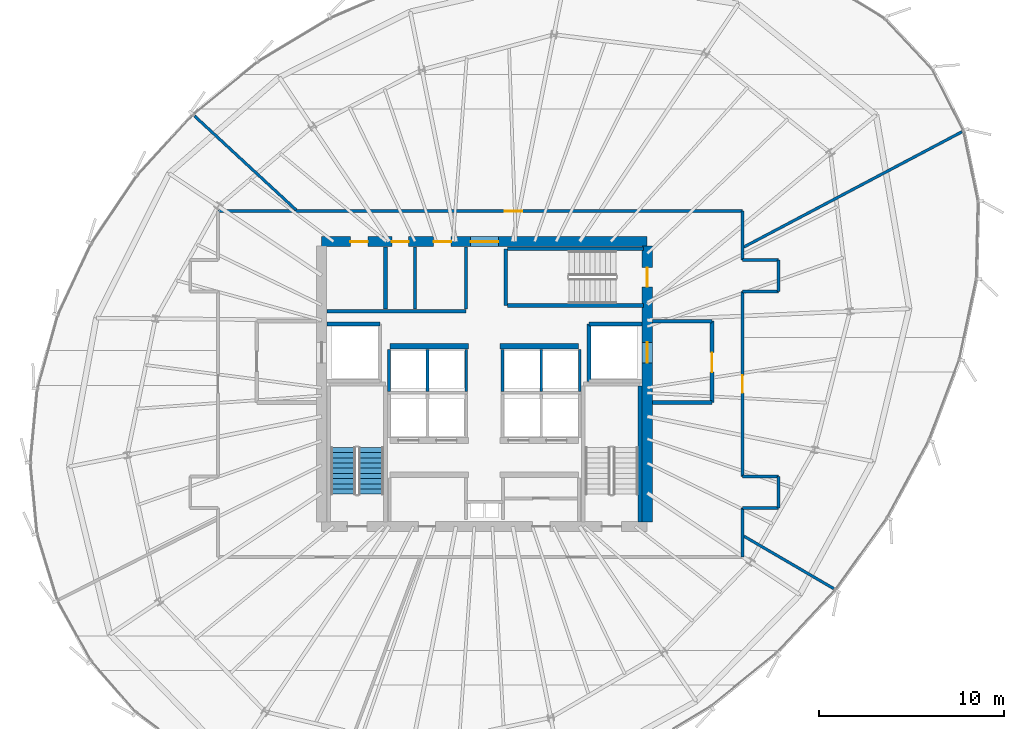
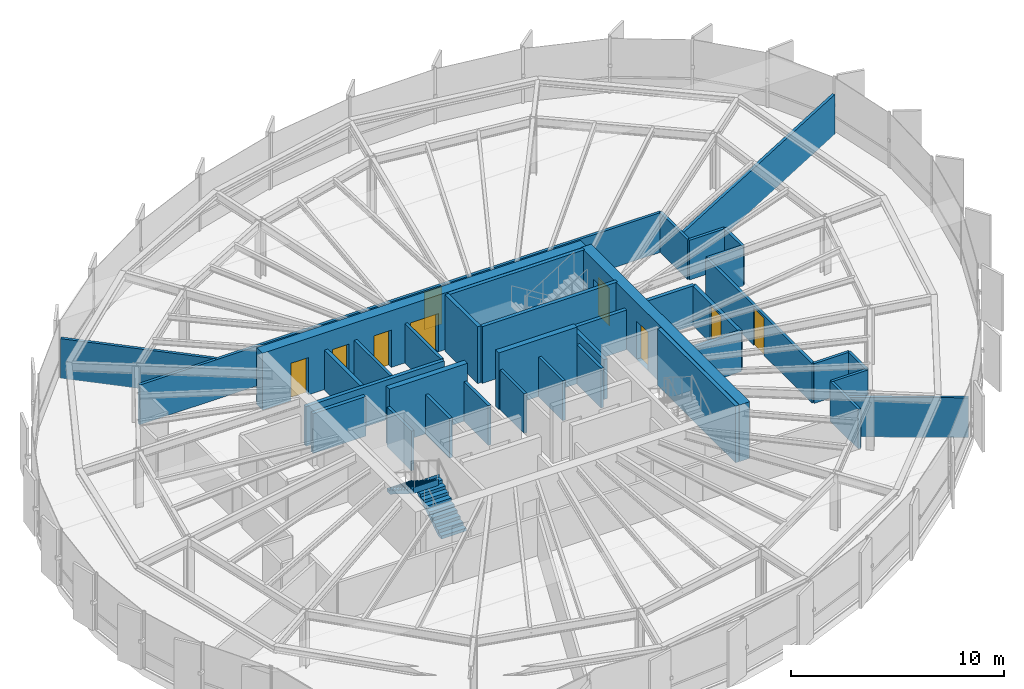
# One storey, part 31 of 36: 37 walls, 9 doors, 2 stair flights, 9 openings, 1 element without a shape of its own.
"""IFC4 building model written with IfcOpenShell, lengths in metres."""

from ifc_helpers import new_model, si_unit, direction, frame, frame_2d, origin, place, context, subcontext, project, spatial, polyline, rectangle, outline, extrude, source, transform, mapped, material, layer, layer_set, type_object, element, fill, aggregate, save


model = new_model("IFC4")

# Units and contexts
model_context = context("Model", 3, precision=1e-05, world=origin(), true_north=direction((0.0, 1.0)))
body_context = subcontext(model_context, "Body", "Model", "MODEL_VIEW")
ifc_project = project(units=[si_unit("LENGTHUNIT", "METRE"), si_unit("AREAUNIT", "SQUARE_METRE"), si_unit("VOLUMEUNIT", "CUBIC_METRE"), si_unit("PLANEANGLEUNIT", "RADIAN"), si_unit("MASSUNIT", "GRAM", prefix="KILO"), si_unit("THERMODYNAMICTEMPERATUREUNIT", "KELVIN")], contexts=[model_context])

# Site, building, storey
site_placement = place(None, origin())
site = spatial("IfcSite", under=ifc_project, at=site_placement, CompositionType="ELEMENT")
building_placement = place(site_placement, origin())
building = spatial("IfcBuilding", under=site, at=building_placement, Name="Kethvar Cultural Tower", CompositionType="ELEMENT")
storey_placement = place(building_placement, frame((0.0, 0.0, 176.39990234375)))
storey = spatial("IfcBuildingStorey", under=building, at=storey_placement, Name="L45", CompositionType="ELEMENT", Elevation=176.39990234375)

# Wall, openings, doors
ifc_material_1 = material(Name="Concrete C60/75", Category="concrete")
ifc_layer_1 = layer(ifc_material_1, 0.550048828125, Name="Concrete C60/75", Category="concrete")
ifc_layer_set_1 = layer_set([ifc_layer_1], Name="Concrete C60/75 (550 mm)")
wall_type_1 = type_object("IfcWallType", Name="WL-CORE-550", PredefinedType="SHEAR", material=ifc_layer_set_1)
wall_1_placement = place(storey_placement, frame((55.60009765625, 35.5, 0.0), z_axis=(0.0, 0.0, 1.0), x_axis=(-1.0, 0.0, 0.0)))
wall_1 = element("IfcWall", 1, at=wall_1_placement, inside=storey, type_object=wall_type_1, Name="L45 Core Shear Wall N", PredefinedType="SHEAR", context=body_context, shape_type="SweptSolid", body=[
    extrude(rectangle(XDim=17.60009765625, YDim=0.550048828125, at=frame_2d((8.800048828125, 0.0))), origin(), (0.0, 0.0, 1.0), 3.260009765625),
])
opening_1_placement = place(wall_1_placement, frame((8.050048828125, 0.0, 0.0)))
opening_1 = element("IfcOpeningElement", 2, at=opening_1_placement, cuts=wall_1, Name="Opening D-L45-LN", PredefinedType="OPENING", context=body_context, shape_type="SweptSolid", body=[
    extrude(rectangle(XDim=1.5, YDim=2.199951171875, at=frame_2d((0.75, 1.10009765625))), frame((0.0, 0.284912109375, 0.0), z_axis=(0.0, -1.0, 0.0), x_axis=(1.0, 0.0, 0.0)), (0.0, 0.0, 1.0), 0.570068359375),
])
opening_2_placement = place(wall_1_placement, frame((15.10009765625, 0.0, 0.0)))
opening_2 = element("IfcOpeningElement", 3, at=opening_2_placement, cuts=wall_1, Name="Opening D-L45-E1", PredefinedType="OPENING", context=body_context, shape_type="SweptSolid", body=[
    extrude(rectangle(XDim=0.949951171875, YDim=2.14990234375, at=frame_2d((0.47509765625, 1.074951171875))), frame((0.0, 0.284912109375, 0.0), z_axis=(0.0, -1.0, 0.0), x_axis=(1.0, 0.0, 0.0)), (0.0, 0.0, 1.0), 0.570068359375),
])
opening_3_placement = place(wall_1_placement, frame((12.89990234375, 0.0, 0.0)))
opening_3 = element("IfcOpeningElement", 4, at=opening_3_placement, cuts=wall_1, Name="Opening D-L45-W1", PredefinedType="OPENING", context=body_context, shape_type="SweptSolid", body=[
    extrude(rectangle(XDim=0.89990234375, YDim=2.14990234375, at=frame_2d((0.449951171875, 1.074951171875))), frame((0.0, 0.284912109375, 0.0), z_axis=(0.0, -1.0, 0.0), x_axis=(1.0, 0.0, 0.0)), (0.0, 0.0, 1.0), 0.570068359375),
])
opening_4_placement = place(wall_1_placement, frame((10.60009765625, 0.0, 0.0)))
opening_4 = element("IfcOpeningElement", 5, at=opening_4_placement, cuts=wall_1, Name="Opening D-L45-W2", PredefinedType="OPENING", context=body_context, shape_type="SweptSolid", body=[
    extrude(rectangle(XDim=0.949951171875, YDim=2.14990234375, at=frame_2d((0.47509765625, 1.074951171875))), frame((0.0, 0.284912109375, 0.0), z_axis=(0.0, -1.0, 0.0), x_axis=(1.0, 0.0, 0.0)), (0.0, 0.0, 1.0), 0.570068359375),
])
ifc_material_2 = material(Name="Architectural Oak Timber", Category="wood")
door_type_1 = type_object("IfcDoorType", Name="DR-DBL-FD60-1500", OperationType="DOUBLE_DOOR_SINGLE_SWING", PredefinedType="DOOR", material=ifc_material_2)
shared_shape_1 = source(origin(), body_context, "Body", "SweptSolid", [
    extrude(rectangle(XDim=1.5, YDim=2.199951171875, at=frame_2d((0.75, 1.10009765625))), frame((0.0, 0.02490234375, 0.0), z_axis=(0.0, -1.0, 0.0), x_axis=(1.0, 0.0, 0.0)), (0.0, 0.0, 1.0), 0.050048828125),
])
door_1_placement = place(opening_1_placement, origin())
door_1 = element("IfcDoor", 6, at=door_1_placement, inside=storey, type_object=door_type_1, Name="L45 Lift Lobby Concourse Door", OperationType="DOUBLE_DOOR_SINGLE_SWING", OverallHeight=2.199951171875, OverallWidth=1.5, PredefinedType="DOOR", context=body_context, shape_type="MappedRepresentation", body=[
    mapped(shared_shape_1, transform((0.0, 0.0, 0.0), scale=1.0)),
])
fill(opening_1, door_1)
door_type_2 = type_object("IfcDoorType", Name="DR-FD30-950", OperationType="NOTDEFINED", PredefinedType="DOOR", material=ifc_material_2)
shared_shape_2 = source(origin(), body_context, "Body", "SweptSolid", [
    extrude(rectangle(XDim=0.949951171875, YDim=2.14990234375, at=frame_2d((0.47509765625, 1.074951171875))), frame((0.0, 0.02490234375, 0.0), z_axis=(0.0, -1.0, 0.0), x_axis=(1.0, 0.0, 0.0)), (0.0, 0.0, 1.0), 0.050048828125),
])
door_2_placement = place(opening_2_placement, origin())
door_2 = element("IfcDoor", 7, at=door_2_placement, inside=storey, type_object=door_type_2, Name="L45 Electrical Switchgear Door", OperationType="SINGLE_SWING_RIGHT", OverallHeight=2.14990234375, OverallWidth=0.949951171875, PredefinedType="DOOR", context=body_context, shape_type="MappedRepresentation", body=[
    mapped(shared_shape_2, transform((0.0, 0.0, 0.0), scale=1.0)),
])
fill(opening_2, door_2)
door_3_placement = place(opening_4_placement, origin())
door_3 = element("IfcDoor", 8, at=door_3_placement, inside=storey, type_object=door_type_2, Name="L45 Public Washroom Door", OperationType="SINGLE_SWING_RIGHT", OverallHeight=2.14990234375, OverallWidth=0.949951171875, PredefinedType="DOOR", context=body_context, shape_type="MappedRepresentation", body=[
    mapped(shared_shape_2, transform((0.0, 0.0, 0.0), scale=1.0)),
])
fill(opening_4, door_3)
door_type_3 = type_object("IfcDoorType", Name="DR-FD30-900", OperationType="NOTDEFINED", PredefinedType="DOOR", material=ifc_material_2)
shared_shape_3 = source(origin(), body_context, "Body", "SweptSolid", [
    extrude(rectangle(XDim=0.89990234375, YDim=2.14990234375, at=frame_2d((0.449951171875, 1.074951171875))), frame((0.0, 0.02490234375, 0.0), z_axis=(0.0, -1.0, 0.0), x_axis=(1.0, 0.0, 0.0)), (0.0, 0.0, 1.0), 0.050048828125),
])
door_4_placement = place(opening_3_placement, origin())
door_4 = element("IfcDoor", 9, at=door_4_placement, inside=storey, type_object=door_type_3, Name="L45 Accessible Washroom Door", OperationType="SINGLE_SWING_LEFT", OverallHeight=2.14990234375, OverallWidth=0.89990234375, PredefinedType="DOOR", context=body_context, shape_type="MappedRepresentation", body=[
    mapped(shared_shape_3, transform((0.0, 0.0, 0.0), scale=1.0)),
])
fill(opening_3, door_4)

wall_2_placement = place(storey_placement, frame((55.60009765625, 20.340087890625, 0.0), z_axis=(0.0, 0.0, 1.0), x_axis=(0.0, 1.0, 0.0)))
wall_2 = element("IfcWall", 10, at=wall_2_placement, inside=storey, type_object=wall_type_1, Name="L45 Core Shear Wall E", PredefinedType="SHEAR", context=body_context, shape_type="SweptSolid", body=[
    extrude(rectangle(XDim=14.919921875, YDim=0.550048828125, at=frame_2d((7.4599609375, 0.0))), origin(), (0.0, 0.0, 1.0), 3.260009765625),
])
opening_5_placement = place(wall_2_placement, frame((12.7099609375, 0.0, 0.0)))
opening_5 = element("IfcOpeningElement", 11, at=opening_5_placement, cuts=wall_2, Name="Opening D-L45-S3", PredefinedType="OPENING", context=body_context, shape_type="SweptSolid", body=[
    extrude(rectangle(XDim=1.050048828125, YDim=2.14990234375, at=frame_2d((0.52490234375, 1.074951171875))), frame((0.0, 0.284912109375, 0.0), z_axis=(0.0, -1.0, 0.0), x_axis=(1.0, 0.0, 0.0)), (0.0, 0.0, 1.0), 0.570068359375),
])
opening_6_placement = place(wall_2_placement, frame((8.610107421875, 0.0, 0.0)))
opening_6 = element("IfcOpeningElement", 12, at=opening_6_placement, cuts=wall_2, Name="Opening LD-2", PredefinedType="OPENING", context=body_context, shape_type="SweptSolid", body=[
    extrude(rectangle(XDim=1.10009765625, YDim=2.199951171875, at=frame_2d((0.550048828125, 1.10009765625))), frame((0.0, 0.284912109375, 0.0), z_axis=(0.0, -1.0, 0.0), x_axis=(1.0, 0.0, 0.0)), (0.0, 0.0, 1.0), 0.570068359375),
])
ifc_material_3 = material(Name="Steel S355J2", Category="steel")
door_type_4 = type_object("IfcDoorType", Name="DR-FD60-1050", OperationType="NOTDEFINED", PredefinedType="DOOR", material=ifc_material_3)
shared_shape_4 = source(origin(), body_context, "Body", "SweptSolid", [
    extrude(rectangle(XDim=1.050048828125, YDim=2.14990234375, at=frame_2d((0.52490234375, 1.074951171875))), frame((0.0, 0.02490234375, 0.0), z_axis=(0.0, -1.0, 0.0), x_axis=(1.0, 0.0, 0.0)), (0.0, 0.0, 1.0), 0.050048828125),
])
door_5_placement = place(opening_5_placement, origin())
door_5 = element("IfcDoor", 13, at=door_5_placement, inside=storey, type_object=door_type_4, Name="L45 Exit Stair 3 Door", OperationType="SINGLE_SWING_LEFT", OverallHeight=2.14990234375, OverallWidth=1.050048828125, PredefinedType="DOOR", context=body_context, shape_type="MappedRepresentation", body=[
    mapped(shared_shape_4, transform((0.0, 0.0, 0.0), scale=1.0)),
])
fill(opening_5, door_5)
door_type_5 = type_object("IfcDoorType", Name="DR-LIFT-SLIDE-1100", OperationType="NOTDEFINED", PredefinedType="DOOR", material=ifc_material_3)
shared_shape_5 = source(origin(), body_context, "Body", "SweptSolid", [
    extrude(rectangle(XDim=1.10009765625, YDim=2.199951171875, at=frame_2d((0.550048828125, 1.10009765625))), frame((0.0, 0.02490234375, 0.0), z_axis=(0.0, -1.0, 0.0), x_axis=(1.0, 0.0, 0.0)), (0.0, 0.0, 1.0), 0.050048828125),
])
door_6_placement = place(opening_6_placement, origin())
door_6 = element("IfcDoor", 14, at=door_6_placement, inside=storey, type_object=door_type_5, Name="L45 Firefighting Lift Landing Door FFL-02", OperationType="SLIDING_TO_RIGHT", OverallHeight=2.199951171875, OverallWidth=1.10009765625, PredefinedType="DOOR", context=body_context, shape_type="MappedRepresentation", body=[
    mapped(shared_shape_5, transform((0.0, 0.0, 0.0), scale=1.0)),
])
fill(opening_6, door_6)

# Walls
ifc_material_4 = material(Name="Gypsum Fireboard Partition")
ifc_layer_2 = layer(ifc_material_4, 0.14990234375, Name="Gypsum Fireboard Partition")
ifc_layer_set_2 = layer_set([ifc_layer_2], Name="Gypsum Fireboard Partition (150 mm)")
wall_type_2 = type_object("IfcWallType", Name="WL-FIRE-150", PredefinedType="PARTITIONING", material=ifc_layer_set_2)
for number, where, z_axis, x_axis, name in (
    (15, (41.64990234375, 27.409912109375, 0.0), (0.0, 0.0, 1.0), (0.0, 1.0, 0.0), "L45 High-Rise Lift Shaft Outer Wall W"),
    (16, (43.72509765625, 27.409912109375, 0.0), (0.0, 0.0, 1.0), (0.0, 1.0, 0.0), "L45 High-Rise Lift Shaft Divider W"),
    (17, (45.824951171875, 27.409912109375, 0.0), (0.0, 0.0, 1.0), (0.0, 1.0, 0.0), "L45 High-Rise Lift Shaft Concourse Wall W"),
    (18, (47.77490234375, 27.409912109375, 0.0), (0.0, 0.0, 1.0), (0.0, 1.0, 0.0), "L45 High-Rise Lift Shaft Concourse Wall E"),
    (19, (49.875, 27.409912109375, 0.0), (0.0, 0.0, 1.0), (0.0, 1.0, 0.0), "L45 High-Rise Lift Shaft Divider E"),
    (20, (51.949951171875, 27.409912109375, 0.0), (0.0, 0.0, 1.0), (0.0, 1.0, 0.0), "L45 High-Rise Lift Shaft Outer Wall E"),
):
    element("IfcWall", number, at=place(storey_placement, frame(where, z_axis=z_axis, x_axis=x_axis)), inside=storey, type_object=wall_type_2, Name=name, PredefinedType="PARTITIONING", context=body_context, shape_type="SweptSolid", body=[
        extrude(rectangle(XDim=2.27001953125, YDim=0.14990234375, at=frame_2d((1.135009765625, 0.0))), origin(), (0.0, 0.0, 1.0), 2.280029296875),
    ])
wall_3_placement = place(storey_placement, frame((45.800048828125, 31.85009765625, 0.0), z_axis=(0.0, 0.0, 1.0), x_axis=(0.0, 1.0, 0.0)))
element("IfcWall", 21, at=wall_3_placement, inside=storey, type_object=wall_type_2, Name="L45 Sanitary Spine Wall", PredefinedType="PARTITIONING", context=body_context, shape_type="SweptSolid", body=[
    extrude(rectangle(XDim=3.364990234375, YDim=0.14990234375, at=frame_2d((1.6826171875, 0.0))), origin(), (0.0, 0.0, 1.0), 2.280029296875),
])
wall_4_placement = place(storey_placement, frame((60.75, 18.449951171875, 0.0), z_axis=(0.0, 0.0, 1.0), x_axis=(0.0, 1.0, 0.0)))
element("IfcWall", 22, at=wall_4_placement, inside=storey, type_object=wall_type_2, Name="L45 Corridor Rated Wall E1", PredefinedType="PARTITIONING", context=body_context, shape_type="SweptSolid", body=[
    extrude(rectangle(XDim=2.650146484375, YDim=0.14990234375, at=frame_2d((1.3251953125, 0.0))), origin(), (0.0, 0.0, 1.0), 2.280029296875),
])
wall_5_placement = place(storey_placement, frame((60.75, 21.10009765625, 0.0), z_axis=(0.0, 0.0, 1.0), x_axis=(1.0, 0.0, 0.0)))
element("IfcWall", 23, at=wall_5_placement, inside=storey, type_object=wall_type_2, Name="L45 Corridor Rated Wall ESB", PredefinedType="PARTITIONING", context=body_context, shape_type="SweptSolid", body=[
    extrude(rectangle(XDim=1.949951171875, YDim=0.14990234375, at=frame_2d((0.97509765625, 0.0))), origin(), (0.0, 0.0, 1.0), 2.280029296875),
])
wall_6_placement = place(storey_placement, frame((62.699951171875, 21.10009765625, 0.0), z_axis=(0.0, 0.0, 1.0), x_axis=(0.0, 1.0, 0.0)))
element("IfcWall", 24, at=wall_6_placement, inside=storey, type_object=wall_type_2, Name="L45 Corridor Rated Wall ES", PredefinedType="PARTITIONING", context=body_context, shape_type="SweptSolid", body=[
    extrude(rectangle(XDim=1.699951171875, YDim=0.14990234375, at=frame_2d((0.85009765625, 0.0))), origin(), (0.0, 0.0, 1.0), 2.280029296875),
])
wall_7_placement = place(storey_placement, frame((62.699951171875, 22.800048828125, 0.0), z_axis=(0.0, 0.0, 1.0), x_axis=(-1.0, 0.0, 0.0)))
element("IfcWall", 25, at=wall_7_placement, inside=storey, type_object=wall_type_2, Name="L45 Corridor Rated Wall EST", PredefinedType="PARTITIONING", context=body_context, shape_type="SweptSolid", body=[
    extrude(rectangle(XDim=1.949951171875, YDim=0.14990234375, at=frame_2d((0.97509765625, 0.0))), origin(), (0.0, 0.0, 1.0), 2.280029296875),
])

# Wall, opening, door
wall_8_placement = place(storey_placement, frame((60.75, 22.800048828125, 0.0), z_axis=(0.0, 0.0, 1.0), x_axis=(0.0, 1.0, 0.0)))
wall_8 = element("IfcWall", 26, at=wall_8_placement, inside=storey, type_object=wall_type_2, Name="L45 Corridor Rated Wall EM", PredefinedType="PARTITIONING", context=body_context, shape_type="SweptSolid", body=[
    extrude(rectangle(XDim=10.0, YDim=0.14990234375, at=frame_2d((5.0, 0.0))), origin(), (0.0, 0.0, 1.0), 2.280029296875),
])
opening_7_placement = place(wall_8_placement, frame((4.52490234375, 0.0, 0.0)))
opening_7 = element("IfcOpeningElement", 27, at=opening_7_placement, cuts=wall_8, Name="Opening D-L45-03", PredefinedType="OPENING", context=body_context, shape_type="SweptSolid", body=[
    extrude(rectangle(XDim=0.949951171875, YDim=2.14990234375, at=frame_2d((0.47509765625, 1.074951171875))), frame((0.0, 0.0849609375, 0.0), z_axis=(0.0, -1.0, 0.0), x_axis=(1.0, 0.0, 0.0)), (0.0, 0.0, 1.0), 0.169921875),
])
door_7_placement = place(opening_7_placement, origin())
door_7 = element("IfcDoor", 28, at=door_7_placement, inside=storey, type_object=door_type_2, Name="L45 Curatorial Concierge Foyer 03 Door", OperationType="SINGLE_SWING_RIGHT", OverallHeight=2.14990234375, OverallWidth=0.949951171875, PredefinedType="DOOR", context=body_context, shape_type="MappedRepresentation", body=[
    mapped(shared_shape_2, transform((0.0, 0.0, 0.0), scale=1.0)),
])
fill(opening_7, door_7)

# Walls
wall_9_placement = place(storey_placement, frame((60.75, 32.800048828125, 0.0), z_axis=(0.0, 0.0, 1.0), x_axis=(1.0, 0.0, 0.0)))
element("IfcWall", 29, at=wall_9_placement, inside=storey, type_object=wall_type_2, Name="L45 Corridor Rated Wall ENB", PredefinedType="PARTITIONING", context=body_context, shape_type="SweptSolid", body=[
    extrude(rectangle(XDim=1.949951171875, YDim=0.14990234375, at=frame_2d((0.97509765625, 0.0))), origin(), (0.0, 0.0, 1.0), 2.280029296875),
])
wall_10_placement = place(storey_placement, frame((62.699951171875, 32.800048828125, 0.0), z_axis=(0.0, 0.0, 1.0), x_axis=(0.0, 1.0, 0.0)))
element("IfcWall", 30, at=wall_10_placement, inside=storey, type_object=wall_type_2, Name="L45 Corridor Rated Wall EN", PredefinedType="PARTITIONING", context=body_context, shape_type="SweptSolid", body=[
    extrude(rectangle(XDim=1.699951171875, YDim=0.14990234375, at=frame_2d((0.85009765625, 0.0))), origin(), (0.0, 0.0, 1.0), 2.280029296875),
])
wall_11_placement = place(storey_placement, frame((62.699951171875, 34.5, 0.0), z_axis=(0.0, 0.0, 1.0), x_axis=(-1.0, 0.0, 0.0)))
element("IfcWall", 31, at=wall_11_placement, inside=storey, type_object=wall_type_2, Name="L45 Corridor Rated Wall ENT", PredefinedType="PARTITIONING", context=body_context, shape_type="SweptSolid", body=[
    extrude(rectangle(XDim=1.949951171875, YDim=0.14990234375, at=frame_2d((0.97509765625, 0.0))), origin(), (0.0, 0.0, 1.0), 2.280029296875),
])
wall_12_placement = place(storey_placement, frame((60.75, 34.5, 0.0), z_axis=(0.0, 0.0, 1.0), x_axis=(0.0, 1.0, 0.0)))
element("IfcWall", 32, at=wall_12_placement, inside=storey, type_object=wall_type_2, Name="L45 Corridor Rated Wall E2", PredefinedType="PARTITIONING", context=body_context, shape_type="SweptSolid", body=[
    extrude(rectangle(XDim=2.64990234375, YDim=0.14990234375, at=frame_2d((1.324951171875, 0.0))), origin(), (0.0, 0.0, 1.0), 2.280029296875),
])

# Wall, opening, door
wall_13_placement = place(storey_placement, frame((60.75, 37.14990234375, 0.0), z_axis=(0.0, 0.0, 1.0), x_axis=(-1.0, 0.0, 0.0)))
wall_13 = element("IfcWall", 33, at=wall_13_placement, inside=storey, type_object=wall_type_2, Name="L45 Corridor Rated Wall N", PredefinedType="PARTITIONING", context=body_context, shape_type="SweptSolid", body=[
    extrude(rectangle(XDim=28.35009765625, YDim=0.14990234375, at=frame_2d((14.175048828125, 0.0))), origin(), (0.0, 0.0, 1.0), 2.280029296875),
])
opening_8_placement = place(wall_13_placement, frame((11.91162109375, 0.0, 0.0)))
opening_8 = element("IfcOpeningElement", 34, at=opening_8_placement, cuts=wall_13, Name="Opening D-L45-04", PredefinedType="OPENING", context=body_context, shape_type="SweptSolid", body=[
    extrude(rectangle(XDim=0.949951171875, YDim=2.14990234375, at=frame_2d((0.47509765625, 1.074951171875))), frame((0.0, 0.0849609375, 0.0), z_axis=(0.0, -1.0, 0.0), x_axis=(1.0, 0.0, 0.0)), (0.0, 0.0, 1.0), 0.169921875),
])
door_8_placement = place(opening_8_placement, origin())
door_8 = element("IfcDoor", 35, at=door_8_placement, inside=storey, type_object=door_type_2, Name="L45 Security Control Room 04 Door", OperationType="SINGLE_SWING_LEFT", OverallHeight=2.14990234375, OverallWidth=0.949951171875, PredefinedType="DOOR", context=body_context, shape_type="MappedRepresentation", body=[
    mapped(shared_shape_2, transform((0.0, 0.0, 0.0), scale=1.0)),
])
fill(opening_8, door_8)

# Walls
ifc_material_5 = material(Name="Concrete C40/50", Category="concrete")
ifc_layer_3 = layer(ifc_material_5, 0.199951171875, Name="Concrete C40/50", Category="concrete")
ifc_layer_set_3 = layer_set([ifc_layer_3], Name="Concrete C40/50 (200 mm)")
wall_type_3 = type_object("IfcWallType", Name="WL-FIRE-200", PredefinedType="PARTITIONING", material=ifc_layer_set_3)
wall_14_placement = place(storey_placement, frame((38.284912109375, 31.050048828125, 0.0), z_axis=(0.0, 0.0, 1.0), x_axis=(1.0, 0.0, 0.0)))
element("IfcWall", 36, at=wall_14_placement, inside=storey, type_object=wall_type_3, Name="L45 FFL-01 Shaft North Wall", PredefinedType="PARTITIONING", context=body_context, shape_type="SweptSolid", body=[
    extrude(rectangle(XDim=2.864990234375, YDim=0.199951171875, at=frame_2d((1.4326171875, 0.0))), origin(), (0.0, 0.0, 1.0), 2.280029296875),
])
wall_15_placement = place(storey_placement, frame((52.449951171875, 27.949951171875, 0.0), z_axis=(0.0, 0.0, 1.0), x_axis=(0.0, 1.0, 0.0)))
element("IfcWall", 37, at=wall_15_placement, inside=storey, type_object=wall_type_3, Name="L45 FFL-02 Shaft Inner Wall", PredefinedType="PARTITIONING", context=body_context, shape_type="SweptSolid", body=[
    extrude(rectangle(XDim=3.10009765625, YDim=0.199951171875, at=frame_2d((1.550048828125, 0.0))), origin(), (0.0, 0.0, 1.0), 2.280029296875),
])
wall_16_placement = place(storey_placement, frame((52.449951171875, 31.050048828125, 0.0), z_axis=(0.0, 0.0, 1.0), x_axis=(1.0, 0.0, 0.0)))
element("IfcWall", 38, at=wall_16_placement, inside=storey, type_object=wall_type_3, Name="L45 FFL-02 Shaft North Wall", PredefinedType="PARTITIONING", context=body_context, shape_type="SweptSolid", body=[
    extrude(rectangle(XDim=2.864990234375, YDim=0.199951171875, at=frame_2d((1.4326171875, 0.0))), origin(), (0.0, 0.0, 1.0), 2.280029296875),
])

# Wall, opening, door
wall_17_placement = place(storey_placement, frame((59.10009765625, 26.800048828125, 0.0), z_axis=(0.0, 0.0, 1.0), x_axis=(0.0, 1.0, 0.0)))
wall_17 = element("IfcWall", 39, at=wall_17_placement, inside=storey, type_object=wall_type_3, Name="L45 Firefighting Lobby 2 Wall", PredefinedType="PARTITIONING", context=body_context, shape_type="SweptSolid", body=[
    extrude(rectangle(XDim=4.39990234375, YDim=0.199951171875, at=frame_2d((2.199951171875, 0.0))), origin(), (0.0, 0.0, 1.0), 2.280029296875),
])
opening_9_placement = place(wall_17_placement, frame((1.64990234375, 0.0, 0.0)))
opening_9 = element("IfcOpeningElement", 40, at=opening_9_placement, cuts=wall_17, Name="Opening D-L45-F2", PredefinedType="OPENING", context=body_context, shape_type="SweptSolid", body=[
    extrude(rectangle(XDim=1.050048828125, YDim=2.14990234375, at=frame_2d((0.52490234375, 1.074951171875))), frame((0.0, 0.10986328125, 0.0), z_axis=(0.0, -1.0, 0.0), x_axis=(1.0, 0.0, 0.0)), (0.0, 0.0, 1.0), 0.219970703125),
])
door_9_placement = place(opening_9_placement, origin())
door_9 = element("IfcDoor", 41, at=door_9_placement, inside=storey, type_object=door_type_4, Name="L45 Firefighting Lobby 2 Fire Door", OperationType="SINGLE_SWING_LEFT", OverallHeight=2.14990234375, OverallWidth=1.050048828125, PredefinedType="DOOR", context=body_context, shape_type="MappedRepresentation", body=[
    mapped(shared_shape_4, transform((0.0, 0.0, 0.0), scale=1.0)),
])
fill(opening_9, door_9)

# Walls
for number, where, z_axis, x_axis, name in (
    (42, (55.885009765625, 26.800048828125, 0.0), (0.0, 0.0, 1.0), (1.0, 0.0, 0.0), "L45 FF Lobby 2 South Wall"),
    (43, (55.885009765625, 31.199951171875, 0.0), (0.0, 0.0, 1.0), (1.0, 0.0, 0.0), "L45 FF Lobby 2 North Wall"),
):
    element("IfcWall", number, at=place(storey_placement, frame(where, z_axis=z_axis, x_axis=x_axis)), inside=storey, type_object=wall_type_3, Name=name, PredefinedType="PARTITIONING", context=body_context, shape_type="SweptSolid", body=[
        extrude(rectangle(XDim=3.215087890625, YDim=0.199951171875, at=frame_2d((1.607421875, 0.0))), origin(), (0.0, 0.0, 1.0), 2.280029296875),
    ])
wall_18_placement = place(storey_placement, frame((41.449951171875, 31.85009765625, 0.0), z_axis=(0.0, 0.0, 1.0), x_axis=(0.0, 1.0, 0.0)))
element("IfcWall", 44, at=wall_18_placement, inside=storey, type_object=wall_type_3, Name="L45 NW Core Pocket Wall", PredefinedType="PARTITIONING", context=body_context, shape_type="SweptSolid", body=[
    extrude(rectangle(XDim=3.364990234375, YDim=0.199951171875, at=frame_2d((1.6826171875, 0.0))), origin(), (0.0, 0.0, 1.0), 2.280029296875),
])
wall_19_placement = place(storey_placement, frame((38.284912109375, 31.72998046875, 0.0), z_axis=(0.0, 0.0, 1.0), x_axis=(1.0, 0.0, 0.0)))
element("IfcWall", 45, at=wall_19_placement, inside=storey, type_object=wall_type_3, Name="L45 North Core Sanitary South Wall", PredefinedType="PARTITIONING", context=body_context, shape_type="SweptSolid", body=[
    extrude(rectangle(XDim=7.51513671875, YDim=0.199951171875, at=frame_2d((3.757568359375, 0.0))), origin(), (0.0, 0.0, 1.0), 2.280029296875),
])
ifc_material_6 = material(Name="Gypsum Acoustic Partition")
ifc_layer_4 = layer(ifc_material_6, 0.14990234375, Name="Gypsum Acoustic Partition")
ifc_layer_set_4 = layer_set([ifc_layer_4], Name="Gypsum Acoustic Partition (150 mm)")
wall_type_4 = type_object("IfcWallType", Name="WL-PART-150", PredefinedType="PARTITIONING", material=ifc_layer_set_4)
wall_20_placement = place(storey_placement, frame((60.819091796875, 19.583251953125, 0.0), z_axis=(0.0, 0.0, 1.0), x_axis=(0.86359190548, -0.504191452515, 0.0)))
element("IfcWall", 46, at=wall_20_placement, inside=storey, type_object=wall_type_4, Name="L45 Radial Partition Wall 03", PredefinedType="PARTITIONING", context=body_context, shape_type="SweptSolid", body=[
    extrude(rectangle(XDim=5.63671875, YDim=0.14990234375, at=frame_2d((2.818359375, 0.0))), origin(), (0.0, 0.0, 1.0), 2.280029296875),
])
wall_21_placement = place(storey_placement, frame((60.82080078125, 35.205078125, 0.0), z_axis=(0.0, 0.0, 1.0), x_axis=(0.884187105587, 0.467132917181, 0.0)))
element("IfcWall", 47, at=wall_21_placement, inside=storey, type_object=wall_type_4, Name="L45 Radial Partition Wall 04", PredefinedType="PARTITIONING", context=body_context, shape_type="SweptSolid", body=[
    extrude(rectangle(XDim=13.33349609375, YDim=0.14990234375, at=frame_2d((6.666748046875, 0.0))), origin(), (0.0, 0.0, 1.0), 2.280029296875),
])
wall_22_placement = place(storey_placement, frame((36.63037109375, 37.204345703125, 0.0), z_axis=(0.0, 0.0, 1.0), x_axis=(-0.734135600116, 0.679002887064, 0.0)))
element("IfcWall", 48, at=wall_22_placement, inside=storey, type_object=wall_type_4, Name="L45 Radial Partition Wall 05", PredefinedType="PARTITIONING", context=body_context, shape_type="SweptSolid", body=[
    extrude(rectangle(XDim=7.488037109375, YDim=0.14990234375, at=frame_2d((3.744140625, 0.0))), origin(), (0.0, 0.0, 1.0), 2.280029296875),
])
ifc_material_7 = material(Name="Moisture-Resistant Sanitary Chase Wall")
ifc_layer_5 = layer(ifc_material_7, 0.14990234375, Name="Moisture-Resistant Sanitary Chase Wall")
ifc_layer_set_5 = layer_set([ifc_layer_5], Name="Moisture-Resistant Sanitary Chase Wall (150 mm)")
wall_type_5 = type_object("IfcWallType", Name="WL-PLUMB-150", PredefinedType="PLUMBINGWALL", material=ifc_layer_set_5)
wall_23_placement = place(storey_placement, frame((43.050048828125, 31.85009765625, 0.0), z_axis=(0.0, 0.0, 1.0), x_axis=(0.0, 1.0, 0.0)))
element("IfcWall", 49, at=wall_23_placement, inside=storey, type_object=wall_type_5, Name="L45 Sanitary Plumbing Wall", PredefinedType="PLUMBINGWALL", context=body_context, shape_type="SweptSolid", body=[
    extrude(rectangle(XDim=3.364990234375, YDim=0.14990234375, at=frame_2d((1.6826171875, 0.0))), origin(), (0.0, 0.0, 1.0), 2.280029296875),
])
ifc_material_8 = material(Name="Concrete C50/60", Category="concrete")
ifc_layer_6 = layer(ifc_material_8, 0.300048828125, Name="Concrete C50/60", Category="concrete")
ifc_layer_set_6 = layer_set([ifc_layer_6], Name="Concrete C50/60 (300 mm)")
wall_type_6 = type_object("IfcWallType", Name="WL-SHAFT-300", PredefinedType="SHEAR", material=ifc_layer_set_6)
for number, where, z_axis, x_axis, name in (
    (50, (41.699951171875, 29.85009765625, 0.0), (0.0, 0.0, 1.0), (1.0, 0.0, 0.0), "L45 Core Lift Spine Wall MID3W"),
    (51, (47.64990234375, 29.85009765625, 0.0), (0.0, 0.0, 1.0), (1.0, 0.0, 0.0), "L45 Core Lift Spine Wall MID3E"),
):
    element("IfcWall", number, at=place(storey_placement, frame(where, z_axis=z_axis, x_axis=x_axis)), inside=storey, type_object=wall_type_6, Name=name, PredefinedType="SHEAR", context=body_context, shape_type="SweptSolid", body=[
        extrude(rectangle(XDim=4.25, YDim=0.300048828125, at=frame_2d((2.125, 0.0))), origin(), (0.0, 0.0, 1.0), 3.260009765625),
    ])
ifc_layer_7 = layer(ifc_material_8, 0.199951171875, Name="Concrete C50/60", Category="concrete")
ifc_layer_set_7 = layer_set([ifc_layer_7], Name="Concrete C50/60 (200 mm)")
wall_type_7 = type_object("IfcWallType", Name="WL-STSHAFT-200", PredefinedType="SHEAR", material=ifc_layer_set_7)
wall_24_placement = place(storey_placement, frame((55.2099609375, 27.699951171875, 0.0), z_axis=(0.0, 0.0, 1.0), x_axis=(0.0, -1.0, 0.0)))
element("IfcWall", 52, at=wall_24_placement, inside=storey, type_object=wall_type_7, Name="L45 ST-02 Stair Shaft Wall LEFT", PredefinedType="SHEAR", context=body_context, shape_type="SweptSolid", body=[
    extrude(rectangle(XDim=7.349853515625, YDim=0.199951171875, at=frame_2d((3.6748046875, 0.0))), origin(), (0.0, 0.0, 1.0), 3.260009765625),
])
wall_25_placement = place(storey_placement, frame((47.949951171875, 32.050048828125, 0.0), z_axis=(0.0, 0.0, 1.0), x_axis=(0.0, 1.0, 0.0)))
element("IfcWall", 53, at=wall_25_placement, inside=storey, type_object=wall_type_7, Name="L45 ST-03 Stair Shaft Wall FAR", PredefinedType="SHEAR", context=body_context, shape_type="SweptSolid", body=[
    extrude(rectangle(XDim=3.06005859375, YDim=0.199951171875, at=frame_2d((1.530029296875, 0.0))), origin(), (0.0, 0.0, 1.0), 3.260009765625),
])
for number, where, z_axis, x_axis, name in (
    (54, (48.050048828125, 35.110107421875, 0.0), (0.0, 0.0, 1.0), (1.0, 0.0, 0.0), "L45 ST-03 Stair Shaft Wall LEFT"),
    (55, (55.39990234375, 32.050048828125, 0.0), (0.0, 0.0, 1.0), (-1.0, 0.0, 0.0), "L45 ST-03 Stair Shaft Wall RIGHT"),
):
    element("IfcWall", number, at=place(storey_placement, frame(where, z_axis=z_axis, x_axis=x_axis)), inside=storey, type_object=wall_type_7, Name=name, PredefinedType="SHEAR", context=body_context, shape_type="SweptSolid", body=[
        extrude(rectangle(XDim=7.349853515625, YDim=0.199951171875, at=frame_2d((3.6748046875, 0.0))), origin(), (0.0, 0.0, 1.0), 3.260009765625),
    ])

# Stair, stair flights
stair_type = type_object("IfcStairType", Name="ST-DOGLEG-135", PredefinedType="HALF_TURN_STAIR", material=ifc_material_5)
stair_placement = place(storey_placement, origin())
stair = element("IfcStair", 56, at=stair_placement, inside=storey, type_object=stair_type, Name="L45 Core Exit Stair 1", PredefinedType="HALF_TURN_STAIR")
stair_flight_type = type_object("IfcStairFlightType", Name="FL-STRAIGHT-135", PredefinedType="STRAIGHT", material=ifc_material_5)
stair_flight_1_placement = place(storey_placement, frame((40.675048828125, 21.85009765625, 0.0), z_axis=(0.0, 0.0, 1.0), x_axis=(0.0, 1.0, 0.0)))
stair_flight_1 = element("IfcStairFlight", 57, at=stair_flight_1_placement, type_object=stair_flight_type, Name="ST-01 flight 1", NumberOfRisers=10, NumberOfTreads=9, PredefinedType="STRAIGHT", RiserHeight=0.175, TreadLength=0.28, context=body_context, shape_type="SweptSolid", body=[
    extrude(outline(polyline([(-0.0009765625, -0.0009765625), (-0.0009765625, 0.175048828125), (0.280029296875, 0.175048828125), (0.280029296875, 0.35009765625), (0.56005859375, 0.35009765625), (0.56005859375, 0.52490234375), (0.840087890625, 0.52490234375), (0.840087890625, 0.699951171875), (1.1201171875, 0.699951171875), (1.1201171875, 0.875), (1.39990234375, 0.875), (1.39990234375, 1.050048828125), (1.679931640625, 1.050048828125), (1.679931640625, 1.22509765625), (1.9599609375, 1.22509765625), (1.9599609375, 1.39990234375), (2.239990234375, 1.39990234375), (2.239990234375, 1.574951171875), (2.52001953125, 1.574951171875), (2.52001953125, 1.75), (2.52099609375, 1.75), (2.52099609375, 1.398193359375), (0.28271484375, 0.0), (0.0, -0.0009765625), (-0.0009765625, -0.0009765625)])), frame((0.0, 0.675048828125, 0.0), z_axis=(0.0, -1.0, 0.0), x_axis=(1.0, 0.0, 0.0)), (0.0, 0.0, 1.0), 1.35009765625),
])
stair_flight_2_placement = place(storey_placement, frame((39.1650390625, 24.3701171875, 1.75), z_axis=(0.0, 0.0, 1.0), x_axis=(0.0, -1.0, 0.0)))
stair_flight_2 = element("IfcStairFlight", 58, at=stair_flight_2_placement, type_object=stair_flight_type, Name="ST-01 flight 2", NumberOfRisers=10, NumberOfTreads=9, PredefinedType="STRAIGHT", RiserHeight=0.175, TreadLength=0.28, context=body_context, shape_type="SweptSolid", body=[
    extrude(outline(polyline([(-0.0009765625, -0.0009765625), (-0.0009765625, 0.175048828125), (0.280029296875, 0.175048828125), (0.280029296875, 0.35009765625), (0.56005859375, 0.35009765625), (0.56005859375, 0.52490234375), (0.840087890625, 0.52490234375), (0.840087890625, 0.699951171875), (1.1201171875, 0.699951171875), (1.1201171875, 0.875), (1.39990234375, 0.875), (1.39990234375, 1.050048828125), (1.679931640625, 1.050048828125), (1.679931640625, 1.22509765625), (1.9599609375, 1.22509765625), (1.9599609375, 1.39990234375), (2.239990234375, 1.39990234375), (2.239990234375, 1.574951171875), (2.52001953125, 1.574951171875), (2.52001953125, 1.75), (2.52099609375, 1.75), (2.52099609375, 1.398193359375), (0.28271484375, 0.0), (0.0, -0.0009765625), (-0.0009765625, -0.0009765625)])), frame((0.0, 0.675048828125, 0.0), z_axis=(0.0, -1.0, 0.0), x_axis=(1.0, 0.0, 0.0)), (0.0, 0.0, 1.0), 1.35009765625),
])
aggregate(stair, [stair_flight_1, stair_flight_2])

save(model, "model.ifc")
